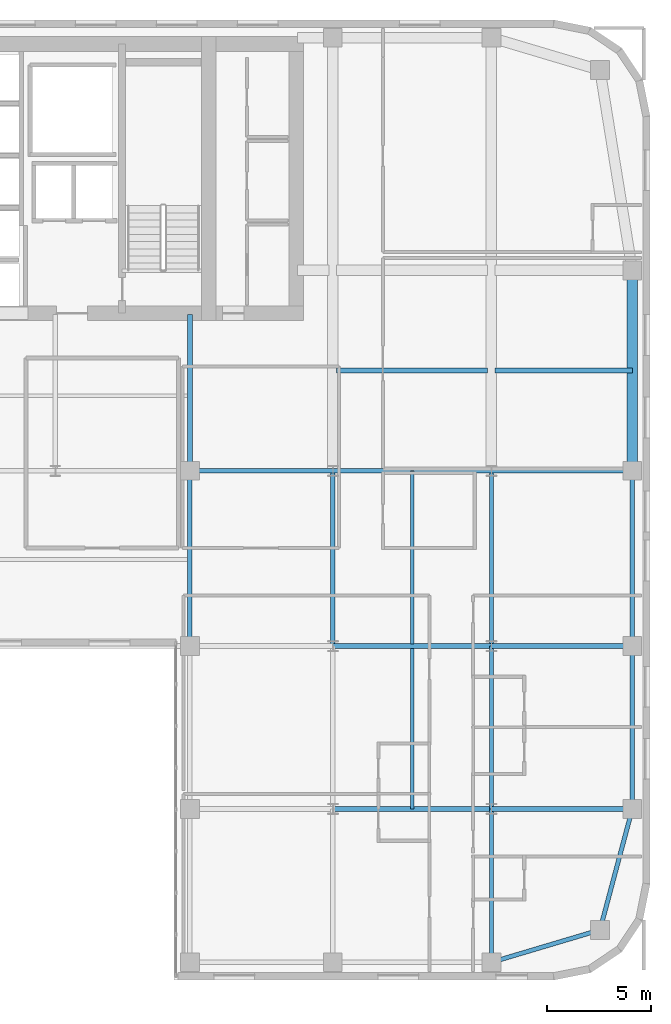
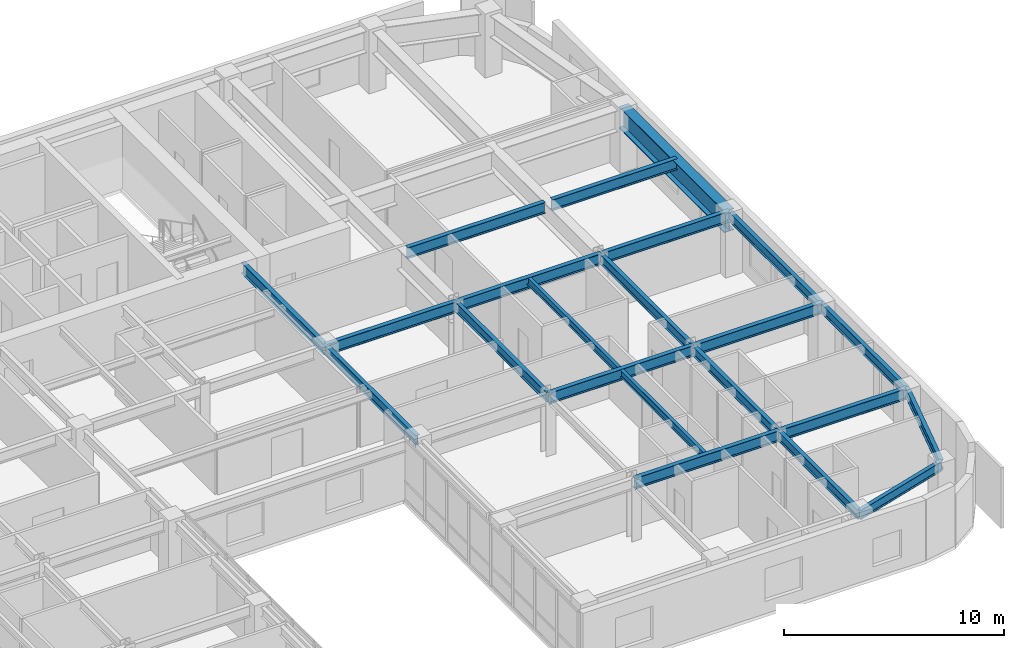
# One storey, part 16 of 30: 22 beams.
"""IFC4 building model written with IfcOpenShell, lengths in metres."""

from ifc_helpers import new_model, si_unit, direction, frame, origin, origin_2d, place, context, subcontext, project, spatial, i_section, extrude, source, transform, mapped, material, material_profile, profile_set, type_object, type_shapes, element, save


model = new_model("IFC4")

# Units and contexts
model_context = context("Model", 3, precision=1e-05, world=origin(), true_north=direction((0.0, 1.0)))
body_context = subcontext(model_context, "Body", "Model", "MODEL_VIEW")
ifc_project = project(units=[si_unit("LENGTHUNIT", "METRE"), si_unit("AREAUNIT", "SQUARE_METRE"), si_unit("VOLUMEUNIT", "CUBIC_METRE"), si_unit("PLANEANGLEUNIT", "RADIAN"), si_unit("MASSUNIT", "GRAM", prefix="KILO")], contexts=[model_context])

# Site, building, storey
site_placement = place(None, origin())
site = spatial("IfcSite", under=ifc_project, at=site_placement, CompositionType="ELEMENT")
building_placement = place(site_placement, origin())
building = spatial("IfcBuilding", under=site, at=building_placement, Name="Tolvann Quenvar Hotel", CompositionType="ELEMENT")
storey_placement = place(building_placement, frame((0.0, 0.0, 100.89990234375)))
storey = spatial("IfcBuildingStorey", under=building, at=storey_placement, Name="L25", CompositionType="ELEMENT", Elevation=100.89990234375)

# Beams
ifc_material = material(Name="Steel Grade 350", Category="steel")
ifc_material_profile_1 = material_profile(ifc_material, i_section(OverallWidth=0.5, OverallDepth=1.199951171875, WebThickness=0.01611328125, FlangeThickness=0.0400390625, at=origin_2d()), Name="1200WB455")
ifc_profile_set_1 = profile_set([ifc_material_profile_1], Name="Steel Grade 350")
beam_type_1 = type_object("IfcBeamType", Name="BM_TG_1200WB455", PredefinedType="USERDEFINED", material=ifc_profile_set_1)
shared_shape_1 = source(origin(), body_context, "Body", "SweptSolid", [
    extrude(i_section(OverallWidth=0.5, OverallDepth=1.199951171875, WebThickness=0.01611328125, FlangeThickness=0.0400390625, at=origin_2d()), origin(), (0.0, 0.0, 1.0), 9.60009765625),
])
type_shapes(beam_type_1, [shared_shape_1])
beam_1_placement = place(storey_placement, frame((56.14990234375, 24.39990234375, 2.77001953125), z_axis=(0.0, 1.0, 0.0), x_axis=(-1.0, 0.0, 0.0)))
element("IfcBeam", 1, at=beam_1_placement, inside=storey, type_object=beam_type_1, Name="BM-L25-FLK-E1", ObjectType="TRANSFER GIRDER", PredefinedType="USERDEFINED", context=body_context, shape_type="MappedRepresentation", body=[
    mapped(shared_shape_1, transform((0.0, 0.0, 0.0), x_axis=(1.0, 0.0, 0.0), y_axis=(0.0, 1.0, 0.0), z_axis=(0.0, 0.0, 1.0), scale=1.0)),
])
ifc_material_profile_2 = material_profile(ifc_material, i_section(OverallWidth=0.208984375, OverallDepth=0.528076171875, WebThickness=0.009521484375, FlangeThickness=0.01318359375, FilletRadius=0.013916015625, at=origin_2d()), Name="530UB82")
ifc_profile_set_2 = profile_set([ifc_material_profile_2], Name="Steel Grade 350")
beam_type_2 = type_object("IfcBeamType", Name="BM_SPAND_530UB82", PredefinedType="SPANDREL", material=ifc_profile_set_2)
shared_shape_2 = source(origin(), body_context, "Body", "SweptSolid", [
    extrude(i_section(OverallWidth=0.208984375, OverallDepth=0.528076171875, WebThickness=0.009521484375, FlangeThickness=0.01318359375, FilletRadius=0.013916015625, at=origin_2d()), origin(), (0.0, 0.0, 1.0), 5.42626953125),
])
beam_2_placement = place(storey_placement, frame((49.39990234375, 0.85009765625, 3.106201171875), z_axis=(0.958344815522, 0.285613750654, 0.0), x_axis=(-0.285613750654, 0.958344815522, 0.0)))
element("IfcBeam", 2, at=beam_2_placement, inside=storey, type_object=beam_type_2, Name="BM-L25-EW-2-I2-J2", PredefinedType="SPANDREL", context=body_context, shape_type="MappedRepresentation", body=[
    mapped(shared_shape_2, transform((0.0, 0.0, 0.0), x_axis=(1.0, 0.0, 0.0), y_axis=(0.0, 1.0, 0.0), z_axis=(0.0, 0.0, 1.0), scale=1.0)),
])
ifc_material_profile_3 = material_profile(ifc_material, i_section(OverallWidth=0.22900390625, OverallDepth=0.612060546875, WebThickness=0.011962890625, FlangeThickness=0.01953125, FilletRadius=0.013916015625, at=origin_2d()), Name="610UB125")
ifc_profile_set_3 = profile_set([ifc_material_profile_3], Name="Steel Grade 350")
beam_type_3 = type_object("IfcBeamType", Name="BM_GIRD_610UB125", PredefinedType="BEAM", material=ifc_profile_set_3)
shared_shape_3 = source(origin(), body_context, "Body", "SweptSolid", [
    extrude(i_section(OverallWidth=0.22900390625, OverallDepth=0.612060546875, WebThickness=0.011962890625, FlangeThickness=0.01953125, FilletRadius=0.013916015625, at=origin_2d()), origin(), (0.0, 0.0, 1.0), 6.75),
])
for number, where, z_axis, x_axis, name in (
    (3, (49.39990234375, 8.199951171875, 3.064208984375), (1.0, 0.0, 0.0), (0.0, 1.0, 0.0), "BM-L25-EW-3-I3-J3"),
    (4, (49.39990234375, 16.0, 3.064208984375), (1.0, 0.0, 0.0), (0.0, 1.0, 0.0), "BM-L25-EW-4-I4-J4"),
    (5, (49.39990234375, 24.39990234375, 3.064208984375), (1.0, 0.0, 0.0), (0.0, 1.0, 0.0), "BM-L25-EW-5-I5-J5"),
):
    element("IfcBeam", number, at=place(storey_placement, frame(where, z_axis=z_axis, x_axis=x_axis)), inside=storey, type_object=beam_type_3, Name=name, PredefinedType="BEAM", context=body_context, shape_type="MappedRepresentation", body=[
        mapped(shared_shape_3, transform((0.0, 0.0, 0.0), x_axis=(1.0, 0.0, 0.0), y_axis=(0.0, 1.0, 0.0), z_axis=(0.0, 0.0, 1.0), scale=1.0)),
    ])
shared_shape_4 = source(origin(), body_context, "Body", "SweptSolid", [
    extrude(i_section(OverallWidth=0.22900390625, OverallDepth=0.612060546875, WebThickness=0.011962890625, FlangeThickness=0.01953125, FilletRadius=0.013916015625, at=origin_2d()), origin(), (0.0, 0.0, 1.0), 7.599853515625),
])
for number, where, z_axis, x_axis, name in (
    (6, (41.800048828125, 8.199951171875, 3.064208984375), (1.0, 0.0, 0.0), (0.0, 1.0, 0.0), "BM-L25-EW-3-H3-I3"),
    (7, (41.800048828125, 16.0, 3.064208984375), (1.0, 0.0, 0.0), (0.0, 1.0, 0.0), "BM-L25-EW-4-H4-I4"),
    (8, (41.800048828125, 24.39990234375, 3.064208984375), (1.0, 0.0, 0.0), (0.0, 1.0, 0.0), "BM-L25-EW-5-H5-I5"),
):
    element("IfcBeam", number, at=place(storey_placement, frame(where, z_axis=z_axis, x_axis=x_axis)), inside=storey, type_object=beam_type_3, Name=name, PredefinedType="BEAM", context=body_context, shape_type="MappedRepresentation", body=[
        mapped(shared_shape_4, transform((0.0, 0.0, 0.0), x_axis=(1.0, 0.0, 0.0), y_axis=(0.0, 1.0, 0.0), z_axis=(0.0, 0.0, 1.0), scale=1.0)),
    ])
shared_shape_5 = source(origin(), body_context, "Body", "SweptSolid", [
    extrude(i_section(OverallWidth=0.22900390625, OverallDepth=0.612060546875, WebThickness=0.011962890625, FlangeThickness=0.01953125, FilletRadius=0.013916015625, at=origin_2d()), origin(), (0.0, 0.0, 1.0), 6.85009765625),
])
beam_3_placement = place(storey_placement, frame((34.949951171875, 24.39990234375, 3.064208984375), z_axis=(1.0, 0.0, 0.0), x_axis=(0.0, 1.0, 0.0)))
element("IfcBeam", 9, at=beam_3_placement, inside=storey, type_object=beam_type_3, Name="BM-L25-EW-5-F5-H5", PredefinedType="BEAM", context=body_context, shape_type="MappedRepresentation", body=[
    mapped(shared_shape_5, transform((0.0, 0.0, 0.0), x_axis=(1.0, 0.0, 0.0), y_axis=(0.0, 1.0, 0.0), z_axis=(0.0, 0.0, 1.0), scale=1.0)),
])
shared_shape_6 = source(origin(), body_context, "Body", "SweptSolid", [
    extrude(i_section(OverallWidth=0.208984375, OverallDepth=0.528076171875, WebThickness=0.009521484375, FlangeThickness=0.01318359375, FilletRadius=0.013916015625, at=origin_2d()), origin(), (0.0, 0.0, 1.0), 6.00341796875),
])
beam_4_placement = place(storey_placement, frame((54.60009765625, 2.39990234375, 3.106201171875), z_axis=(0.258148586649, 0.966105225745, 0.0), x_axis=(-0.966105225745, 0.258148586649, 0.0)))
element("IfcBeam", 10, at=beam_4_placement, inside=storey, type_object=beam_type_2, Name="BM-L25-NS-J2-J3", PredefinedType="SPANDREL", context=body_context, shape_type="MappedRepresentation", body=[
    mapped(shared_shape_6, transform((0.0, 0.0, 0.0), x_axis=(1.0, 0.0, 0.0), y_axis=(0.0, 1.0, 0.0), z_axis=(0.0, 0.0, 1.0), scale=1.0)),
])
shared_shape_7 = source(origin(), body_context, "Body", "SweptSolid", [
    extrude(i_section(OverallWidth=0.208984375, OverallDepth=0.528076171875, WebThickness=0.009521484375, FlangeThickness=0.01318359375, FilletRadius=0.013916015625, at=origin_2d()), origin(), (0.0, 0.0, 1.0), 7.800048828125),
])
beam_5_placement = place(storey_placement, frame((56.14990234375, 8.199951171875, 3.106201171875), z_axis=(0.0, 1.0, 0.0), x_axis=(-1.0, 0.0, 0.0)))
element("IfcBeam", 11, at=beam_5_placement, inside=storey, type_object=beam_type_2, Name="BM-L25-NS-J3-J4", PredefinedType="SPANDREL", context=body_context, shape_type="MappedRepresentation", body=[
    mapped(shared_shape_7, transform((0.0, 0.0, 0.0), x_axis=(1.0, 0.0, 0.0), y_axis=(0.0, 1.0, 0.0), z_axis=(0.0, 0.0, 1.0), scale=1.0)),
])
shared_shape_8 = source(origin(), body_context, "Body", "SweptSolid", [
    extrude(i_section(OverallWidth=0.208984375, OverallDepth=0.528076171875, WebThickness=0.009521484375, FlangeThickness=0.01318359375, FilletRadius=0.013916015625, at=origin_2d()), origin(), (0.0, 0.0, 1.0), 8.39990234375),
])
type_shapes(beam_type_2, [shared_shape_2, shared_shape_6, shared_shape_7, shared_shape_8])
beam_6_placement = place(storey_placement, frame((56.14990234375, 16.0, 3.106201171875), z_axis=(0.0, 1.0, 0.0), x_axis=(-1.0, 0.0, 0.0)))
element("IfcBeam", 12, at=beam_6_placement, inside=storey, type_object=beam_type_2, Name="BM-L25-NS-J4-J5", PredefinedType="SPANDREL", context=body_context, shape_type="MappedRepresentation", body=[
    mapped(shared_shape_8, transform((0.0, 0.0, 0.0), x_axis=(1.0, 0.0, 0.0), y_axis=(0.0, 1.0, 0.0), z_axis=(0.0, 0.0, 1.0), scale=1.0)),
])
ifc_material_profile_4 = material_profile(ifc_material, i_section(OverallWidth=0.208984375, OverallDepth=0.532958984375, WebThickness=0.01025390625, FlangeThickness=0.015625, FilletRadius=0.013916015625, at=origin_2d()), Name="530UB92")
ifc_profile_set_4 = profile_set([ifc_material_profile_4], Name="Steel Grade 350")
beam_type_4 = type_object("IfcBeamType", Name="BM_GIRD_530UB92", PredefinedType="BEAM", material=ifc_profile_set_4)
shared_shape_9 = source(origin(), body_context, "Body", "SweptSolid", [
    extrude(i_section(OverallWidth=0.208984375, OverallDepth=0.532958984375, WebThickness=0.01025390625, FlangeThickness=0.015625, FilletRadius=0.013916015625, at=origin_2d()), origin(), (0.0, 0.0, 1.0), 7.349853515625),
])
beam_7_placement = place(storey_placement, frame((49.39990234375, 0.85009765625, 3.103515625), z_axis=(0.0, 1.0, 0.0), x_axis=(-1.0, 0.0, 0.0)))
element("IfcBeam", 13, at=beam_7_placement, inside=storey, type_object=beam_type_4, Name="BM-L25-NS-I2-I3", PredefinedType="BEAM", context=body_context, shape_type="MappedRepresentation", body=[
    mapped(shared_shape_9, transform((0.0, 0.0, 0.0), x_axis=(1.0, 0.0, 0.0), y_axis=(0.0, 1.0, 0.0), z_axis=(0.0, 0.0, 1.0), scale=1.0)),
])
shared_shape_10 = source(origin(), body_context, "Body", "SweptSolid", [
    extrude(i_section(OverallWidth=0.208984375, OverallDepth=0.532958984375, WebThickness=0.01025390625, FlangeThickness=0.015625, FilletRadius=0.013916015625, at=origin_2d()), origin(), (0.0, 0.0, 1.0), 7.800048828125),
])
beam_8_placement = place(storey_placement, frame((49.39990234375, 8.199951171875, 3.103515625), z_axis=(0.0, 1.0, 0.0), x_axis=(-1.0, 0.0, 0.0)))
element("IfcBeam", 14, at=beam_8_placement, inside=storey, type_object=beam_type_4, Name="BM-L25-NS-I3-I4", PredefinedType="BEAM", context=body_context, shape_type="MappedRepresentation", body=[
    mapped(shared_shape_10, transform((0.0, 0.0, 0.0), x_axis=(1.0, 0.0, 0.0), y_axis=(0.0, 1.0, 0.0), z_axis=(0.0, 0.0, 1.0), scale=1.0)),
])
shared_shape_11 = source(origin(), body_context, "Body", "SweptSolid", [
    extrude(i_section(OverallWidth=0.208984375, OverallDepth=0.532958984375, WebThickness=0.01025390625, FlangeThickness=0.015625, FilletRadius=0.013916015625, at=origin_2d()), origin(), (0.0, 0.0, 1.0), 8.39990234375),
])
type_shapes(beam_type_4, [shared_shape_9, shared_shape_10, shared_shape_11])
for number, where, z_axis, x_axis, name in (
    (15, (34.949951171875, 16.0, 3.103515625), (0.0, 1.0, 0.0), (-1.0, 0.0, 0.0), "BM-L25-NS-F4-F5"),
    (16, (41.800048828125, 16.0, 3.103515625), (0.0, 1.0, 0.0), (-1.0, 0.0, 0.0), "BM-L25-NS-H4-H5"),
    (17, (49.39990234375, 16.0, 3.103515625), (0.0, 1.0, 0.0), (-1.0, 0.0, 0.0), "BM-L25-NS-I4-I5"),
):
    element("IfcBeam", number, at=place(storey_placement, frame(where, z_axis=z_axis, x_axis=x_axis)), inside=storey, type_object=beam_type_4, Name=name, PredefinedType="BEAM", context=body_context, shape_type="MappedRepresentation", body=[
        mapped(shared_shape_11, transform((0.0, 0.0, 0.0), x_axis=(1.0, 0.0, 0.0), y_axis=(0.0, 1.0, 0.0), z_axis=(0.0, 0.0, 1.0), scale=1.0)),
    ])
shared_shape_12 = source(origin(), body_context, "Body", "SweptSolid", [
    extrude(i_section(OverallWidth=0.22900390625, OverallDepth=0.612060546875, WebThickness=0.011962890625, FlangeThickness=0.01953125, FilletRadius=0.013916015625, at=origin_2d()), origin(), (0.0, 0.0, 1.0), 7.5),
])
beam_9_placement = place(storey_placement, frame((34.949951171875, 24.39990234375, 3.064208984375), z_axis=(0.0, 1.0, 0.0), x_axis=(-1.0, 0.0, 0.0)))
element("IfcBeam", 18, at=beam_9_placement, inside=storey, type_object=beam_type_3, Name="BM-L25-CORE-F5", PredefinedType="BEAM", context=body_context, shape_type="MappedRepresentation", body=[
    mapped(shared_shape_12, transform((0.0, 0.0, 0.0), x_axis=(1.0, 0.0, 0.0), y_axis=(0.0, 1.0, 0.0), z_axis=(0.0, 0.0, 1.0), scale=1.0)),
])
shared_shape_13 = source(origin(), body_context, "Body", "SweptSolid", [
    extrude(i_section(OverallWidth=0.22900390625, OverallDepth=0.612060546875, WebThickness=0.011962890625, FlangeThickness=0.01953125, FilletRadius=0.013916015625, at=origin_2d()), origin(), (0.0, 0.0, 1.0), 7.239990234375),
])
beam_10_placement = place(storey_placement, frame((41.97998046875, 29.199951171875, 3.064208984375), z_axis=(1.0, 0.0, 0.0), x_axis=(0.0, 1.0, 0.0)))
element("IfcBeam", 19, at=beam_10_placement, inside=storey, type_object=beam_type_3, Name="BM-L25-EW-HI29", PredefinedType="BEAM", context=body_context, shape_type="MappedRepresentation", body=[
    mapped(shared_shape_13, transform((0.0, 0.0, 0.0), x_axis=(1.0, 0.0, 0.0), y_axis=(0.0, 1.0, 0.0), z_axis=(0.0, 0.0, 1.0), scale=1.0)),
])
shared_shape_14 = source(origin(), body_context, "Body", "SweptSolid", [
    extrude(i_section(OverallWidth=0.22900390625, OverallDepth=0.612060546875, WebThickness=0.011962890625, FlangeThickness=0.01953125, FilletRadius=0.013916015625, at=origin_2d()), origin(), (0.0, 0.0, 1.0), 6.56982421875),
])
type_shapes(beam_type_3, [shared_shape_3, shared_shape_4, shared_shape_5, shared_shape_12, shared_shape_13, shared_shape_14])
beam_11_placement = place(storey_placement, frame((49.580078125, 29.199951171875, 3.064208984375), z_axis=(1.0, 0.0, 0.0), x_axis=(0.0, 1.0, 0.0)))
element("IfcBeam", 20, at=beam_11_placement, inside=storey, type_object=beam_type_3, Name="BM-L25-EW-IJ29", PredefinedType="BEAM", context=body_context, shape_type="MappedRepresentation", body=[
    mapped(shared_shape_14, transform((0.0, 0.0, 0.0), x_axis=(1.0, 0.0, 0.0), y_axis=(0.0, 1.0, 0.0), z_axis=(0.0, 0.0, 1.0), scale=1.0)),
])
ifc_material_profile_5 = material_profile(ifc_material, i_section(OverallWidth=0.177978515625, OverallDepth=0.406005859375, WebThickness=0.0078125, FlangeThickness=0.0126953125, FilletRadius=0.011474609375, at=origin_2d()), Name="410UB60")
ifc_profile_set_5 = profile_set([ifc_material_profile_5], Name="Steel Grade 350")
beam_type_5 = type_object("IfcBeamType", Name="BM_JOIST_410UB60", PredefinedType="JOIST", material=ifc_profile_set_5)
shared_shape_15 = source(origin(), body_context, "Body", "SweptSolid", [
    extrude(i_section(OverallWidth=0.177978515625, OverallDepth=0.406005859375, WebThickness=0.0078125, FlangeThickness=0.0126953125, FilletRadius=0.011474609375, at=origin_2d()), origin(), (0.0, 0.0, 1.0), 7.691650390625),
])
beam_12_placement = place(storey_placement, frame((45.60009765625, 8.199951171875, 3.1669921875), z_axis=(0.0, 1.0, 0.0), x_axis=(-1.0, 0.0, 0.0)))
element("IfcBeam", 21, at=beam_12_placement, inside=storey, type_object=beam_type_5, Name="BJ-L25-456-82", PredefinedType="JOIST", context=body_context, shape_type="MappedRepresentation", body=[
    mapped(shared_shape_15, transform((0.0, 0.0, 0.0), x_axis=(1.0, 0.0, 0.0), y_axis=(0.0, 1.0, 0.0), z_axis=(0.0, 0.0, 1.0), scale=1.0)),
])
shared_shape_16 = source(origin(), body_context, "Body", "SweptSolid", [
    extrude(i_section(OverallWidth=0.177978515625, OverallDepth=0.406005859375, WebThickness=0.0078125, FlangeThickness=0.0126953125, FilletRadius=0.011474609375, at=origin_2d()), origin(), (0.0, 0.0, 1.0), 8.29150390625),
])
type_shapes(beam_type_5, [shared_shape_15, shared_shape_16])
beam_13_placement = place(storey_placement, frame((45.60009765625, 16.1083984375, 3.1669921875), z_axis=(0.0, 1.0, 0.0), x_axis=(-1.0, 0.0, 0.0)))
element("IfcBeam", 22, at=beam_13_placement, inside=storey, type_object=beam_type_5, Name="BJ-L25-456-160", PredefinedType="JOIST", context=body_context, shape_type="MappedRepresentation", body=[
    mapped(shared_shape_16, transform((0.0, 0.0, 0.0), x_axis=(1.0, 0.0, 0.0), y_axis=(0.0, 1.0, 0.0), z_axis=(0.0, 0.0, 1.0), scale=1.0)),
])

save(model, "model.ifc")
